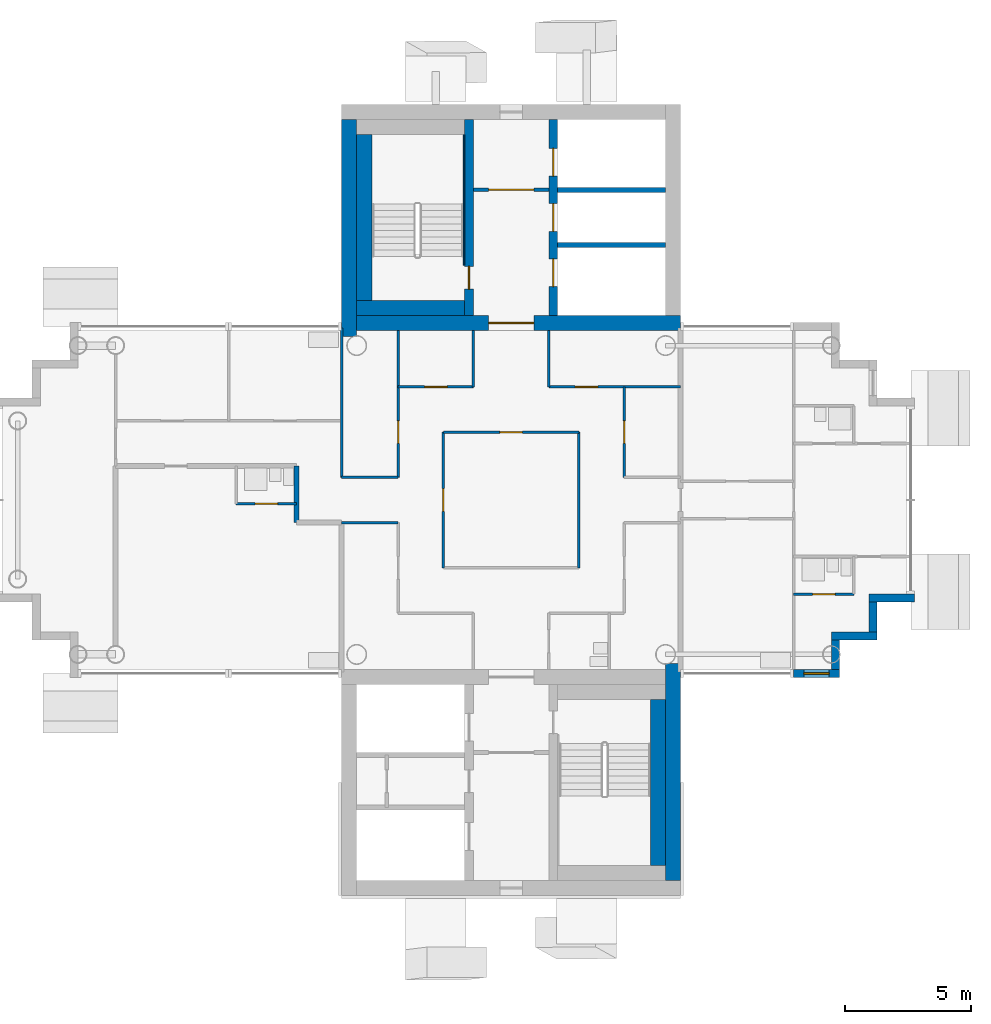
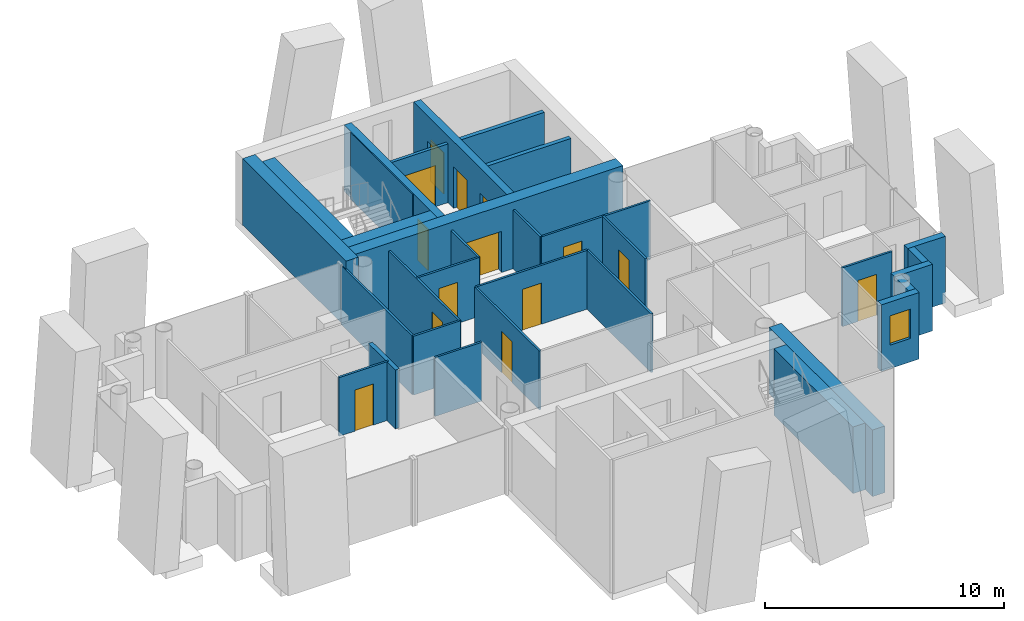
# One storey, part 10 of 19: 32 walls, 14 doors, 1 window, 15 openings.
"""IFC4 building model written with IfcOpenShell, lengths in metres."""

import ifcopenshell
import ifcopenshell.guid

model = None  # the IFC model being written
_history = None  # IfcOwnerHistory: only IFC2X3 demands one
_inside = {}  # id of a spatial element -> (the spatial element, [elements in it])
_under = {}  # id of a project, library or spatial element -> (it, [spatial elements below it])
_declared = {}  # id of a project -> (the project, [libraries it declares])
_typed = {}  # id of a type object -> (the type object, [elements of that type])
_made_of = {}  # id of a material, layer set ... -> (it, [elements and type objects made of it])


def new_model(schema):
    """Start an empty IFC model of exactly this schema.

    Asked for "IFC4X3", IfcOpenShell would pick the latest addendum, in which some entities
    have other attributes; the version numbers below select the first issue.
    IFC2X3 requires an IfcOwnerHistory on every rooted entity: one is made here for all.
    """
    global model, _history
    if schema == "IFC4X3":
        model = ifcopenshell.file(schema_version=(4, 3, 0, 0))
    else:
        model = ifcopenshell.file(schema=schema)
    _inside.clear()
    _under.clear()
    _declared.clear()
    _typed.clear()
    _made_of.clear()
    _history = None
    if model.schema == "IFC2X3":
        org = make("IfcOrganization", Name="unknown")
        user = make(
            "IfcPersonAndOrganization",
            ThePerson=make("IfcPerson", FamilyName="unknown"),
            TheOrganization=org,
        )
        app = make(
            "IfcApplication",
            ApplicationDeveloper=org,
            Version="unknown",
            ApplicationFullName="unknown",
            ApplicationIdentifier="unknown",
        )
        _history = make(
            "IfcOwnerHistory",
            OwningUser=user,
            OwningApplication=app,
            ChangeAction="ADDED",
            CreationDate=0,
        )
    return model


def make(cls, **values):
    """One entity of the class cls with the attributes given. An attribute that is None is left unset."""
    return model.create_entity(
        cls, **{name: value for name, value in values.items() if value is not None}
    )


def rooted(cls, **values):
    """An entity with a GlobalId (a new one), such as an element, a storey or a relation."""
    return make(cls, GlobalId=ifcopenshell.guid.new(), OwnerHistory=_history, **values)


def si_unit(unit_type, name, prefix=None):
    """IfcSIUnit, for example si_unit("LENGTHUNIT", "METRE", prefix="MILLI")."""
    return make("IfcSIUnit", UnitType=unit_type, Prefix=prefix, Name=name)


def assignment(units):
    """IfcUnitAssignment: the units of a project."""
    return None if units is None else make("IfcUnitAssignment", Units=units)


def point(xyz):
    """IfcCartesianPoint."""
    return None if xyz is None else make("IfcCartesianPoint", Coordinates=xyz)


def direction(xyz):
    """IfcDirection."""
    return None if xyz is None else make("IfcDirection", DirectionRatios=xyz)


def frame(location, z_axis=None, x_axis=None):
    """IfcAxis2Placement3D, a coordinate frame: its origin and axes. An axis left out is left unset."""
    return make(
        "IfcAxis2Placement3D",
        Location=point(location),
        Axis=direction(z_axis),
        RefDirection=direction(x_axis),
    )


def frame_2d(location, x_axis=None):
    """IfcAxis2Placement2D, a coordinate frame in the plane: its origin and x axis."""
    return make(
        "IfcAxis2Placement2D", Location=point(location), RefDirection=direction(x_axis)
    )


def origin():
    """The frame at (0, 0, 0) with its axes left unset."""
    return frame((0.0, 0.0, 0.0))


def place(relative_to, where):
    """IfcLocalPlacement: puts the frame where relative to a parent placement (None: the world)."""
    return make(
        "IfcLocalPlacement", PlacementRelTo=relative_to, RelativePlacement=where
    )


def context(
    kind, dimensions, precision=None, world=None, true_north=None, identifier=None
):
    """IfcGeometricRepresentationContext, for example the 3D "Model" context."""
    return make(
        "IfcGeometricRepresentationContext",
        ContextIdentifier=identifier,
        ContextType=kind,
        CoordinateSpaceDimension=dimensions,
        Precision=precision,
        WorldCoordinateSystem=world,
        TrueNorth=true_north,
    )


def subcontext(parent, identifier, kind, view, scale=None):
    """IfcGeometricRepresentationSubContext, for example "Body" below "Model"."""
    return make(
        "IfcGeometricRepresentationSubContext",
        ContextIdentifier=identifier,
        ContextType=kind,
        ParentContext=parent,
        TargetScale=scale,
        TargetView=view,
    )


def project(units=None, contexts=None):
    """IfcProject with its units and contexts."""
    return rooted(
        "IfcProject",
        Name="project",
        RepresentationContexts=contexts,
        UnitsInContext=assignment(units),
    )


def spatial(cls, under=None, at=None, **own):
    """A site, building, storey or space (cls), placed at a placement, below another one or the project."""
    s = rooted(cls, ObjectPlacement=at, **own)
    if under is not None:
        _under.setdefault(under.id(), (under, []))[1].append(s)
    return s


def profile(cls, at=None, kind="AREA", **sizes):
    """A parametric profile (cls). Its sizes go by their IFC names, for example OverallWidth=200.0."""
    return make(cls, ProfileType=kind, Position=at, **sizes)


def rectangle(**sizes):
    """IfcRectangleProfileDef."""
    return profile("IfcRectangleProfileDef", **sizes)


def extrude(swept, where, along, depth):
    """IfcExtrudedAreaSolid: the profile swept, set in the frame where, extruded along a direction by depth."""
    return make(
        "IfcExtrudedAreaSolid",
        SweptArea=swept,
        Position=where,
        ExtrudedDirection=direction(along),
        Depth=depth,
    )


def shape(context_of_items, identifier, shape_type, items):
    """IfcShapeRepresentation: the items that make up one representation, for example the "Body"."""
    return make(
        "IfcShapeRepresentation",
        ContextOfItems=context_of_items,
        RepresentationIdentifier=identifier,
        RepresentationType=shape_type,
        Items=items,
    )


def material(Name=None, Category=None):
    """IfcMaterial."""
    return make("IfcMaterial", Name=Name, Category=Category)


def layer(
    of_material, thickness, ventilated=None, Name=None, Category=None, Priority=None
):
    """IfcMaterialLayer: one layer of a wall or slab, of a material (None: an air gap)."""
    return make(
        "IfcMaterialLayer",
        Material=of_material,
        LayerThickness=thickness,
        IsVentilated=ventilated,
        Name=Name,
        Category=Category,
        Priority=Priority,
    )


def layer_set(layers, Name=None):
    """IfcMaterialLayerSet."""
    return make("IfcMaterialLayerSet", MaterialLayers=layers, LayerSetName=Name)


def made_of(thing, what):
    """Note that an element or type object is made of a material, layer set ...; save() writes the relation."""
    if what is not None:
        _made_of.setdefault(what.id(), (what, []))[1].append(thing)
    return thing


def type_object(cls, material=None, **own):
    """A type object (cls), such as IfcWallType, which elements share."""
    return made_of(rooted(cls, **own), material)


def element(
    cls,
    number,
    at=None,
    inside=None,
    cuts=None,
    type_object=None,
    material=None,
    context=None,
    identifier="Body",
    shape_type=None,
    held_by="IfcProductDefinitionShape",
    body=None,
    shapes=None,
    **own,
):
    """One element of the class cls, such as IfcWall. Its Tag is "e" and its number.

    at: its placement. inside: the storey or other place that contains it. cuts: it is an
    opening in that element (IfcRelVoidsElement). A single representation is given by context,
    identifier, shape_type and body (its items); several are given by shapes. held_by: the class
    of the entity that holds the representations. save() writes the other relations.
    """
    e = rooted(cls, Tag="e%d" % number, ObjectPlacement=at, **own)
    if body is not None:
        shapes = [shape(context, identifier, shape_type, body)]
    if shapes is not None:
        e.Representation = make(held_by, Representations=shapes)
    if inside is not None:
        _inside.setdefault(inside.id(), (inside, []))[1].append(e)
    if cuts is not None:
        rooted(
            "IfcRelVoidsElement", RelatingBuildingElement=cuts, RelatedOpeningElement=e
        )
    if type_object is not None:
        _typed.setdefault(type_object.id(), (type_object, []))[1].append(e)
    return made_of(e, material)


def fill(opening, filler):
    """IfcRelFillsElement: the door or window that sits in an opening."""
    return rooted(
        "IfcRelFillsElement",
        RelatingOpeningElement=opening,
        RelatedBuildingElement=filler,
    )


def aggregate(whole, parts):
    """IfcRelAggregates: a whole, such as a stair, and the parts it consists of."""
    return rooted("IfcRelAggregates", RelatingObject=whole, RelatedObjects=parts)


def save(model, path):
    """Write the relations noted so far, then the file.

    IfcRelAggregates (storeys below a building ...), IfcRelContainedInSpatialStructure (elements
    in a storey), IfcRelDefinesByType, IfcRelAssociatesMaterial and IfcRelDeclares: one each for
    every whole, place, type object, material and project.
    """
    for whole, parts in _under.values():
        aggregate(whole, parts)
    for where, things in _inside.values():
        rooted(
            "IfcRelContainedInSpatialStructure",
            RelatedElements=things,
            RelatingStructure=where,
        )
    for kind, things in _typed.values():
        rooted("IfcRelDefinesByType", RelatedObjects=things, RelatingType=kind)
    for what, things in _made_of.values():
        rooted("IfcRelAssociatesMaterial", RelatedObjects=things, RelatingMaterial=what)
    for by, libraries in _declared.values():
        rooted("IfcRelDeclares", RelatingContext=by, RelatedDefinitions=libraries)
    model.write(path)


model = new_model("IFC4")

# Units and contexts
model_context = context("Model", 3, precision=1e-05, world=origin(), true_north=direction((0.0, 1.0)))
body_context = subcontext(model_context, "Body", "Model", "MODEL_VIEW")
ifc_project = project(units=[si_unit("LENGTHUNIT", "METRE"), si_unit("AREAUNIT", "SQUARE_METRE"), si_unit("VOLUMEUNIT", "CUBIC_METRE"), si_unit("PLANEANGLEUNIT", "RADIAN"), si_unit("MASSUNIT", "GRAM", prefix="KILO")], contexts=[model_context])

# Site, building, storey
site_placement = place(None, origin())
site = spatial("IfcSite", under=ifc_project, at=site_placement, CompositionType="ELEMENT")
building_placement = place(site_placement, origin())
building = spatial("IfcBuilding", under=site, at=building_placement, Name="Ipe Terrace Towers", CompositionType="ELEMENT")
storey_placement = place(building_placement, frame((0.0, 0.0, 189.199951171875)))
storey = spatial("IfcBuildingStorey", under=building, at=storey_placement, Name="L52", CompositionType="ELEMENT", Elevation=189.199951171875)

# Wall, opening, window
ifc_material_1 = material(Name="Concrete C40/50 with buff precast cladding", Category="concrete")
ifc_layer_1 = layer(ifc_material_1, 0.320068359375)
ifc_layer_set_1 = layer_set([ifc_layer_1], Name="BUFF CLADDING WALL 320")
wall_type_1 = type_object("IfcWallType", Name="BUFF CLADDING WALL 320", PredefinedType="STANDARD", material=ifc_layer_set_1)
wall_1_placement = place(storey_placement, frame((47.25, -6.909912109375, -0.300048828125), z_axis=(0.0, 0.0, 1.0), x_axis=(1.0, 0.0, 0.0)))
wall_1 = element("IfcWall", 1, at=wall_1_placement, inside=storey, type_object=wall_type_1, Name="T2-W-L52-03a wall", PredefinedType="STANDARD", context=body_context, shape_type="SweptSolid", body=[
    extrude(rectangle(XDim=1.820068359375, YDim=0.320068359375, at=frame_2d((0.91015625, 0.0))), origin(), (0.0, 0.0, 1.0), 3.400146484375),
])
opening_1_placement = place(wall_1_placement, frame((0.409912109375, 0.0, 1.199951171875)))
opening_1 = element("IfcOpeningElement", 2, at=opening_1_placement, cuts=wall_1, Name="Opening T2-W-05-L52-02", PredefinedType="OPENING", context=body_context, shape_type="SweptSolid", body=[
    extrude(rectangle(XDim=1.0, YDim=1.5, at=frame_2d((0.5, 0.75))), frame((0.0, 0.169921875, 0.0), z_axis=(0.0, -1.0, 0.0), x_axis=(1.0, 0.0, 0.0)), (0.0, 0.0, 1.0), 0.340087890625),
])
ifc_material_2 = material(Name="Glass, clear laminated", Category="glass")
window_type = type_object("IfcWindowType", Name="DWELLING WINDOW 1000 x 1500", PartitioningType="SINGLE_PANEL", PredefinedType="WINDOW", material=ifc_material_2)
window_placement = place(opening_1_placement, origin())
window = element("IfcWindow", 3, at=window_placement, inside=storey, type_object=window_type, Name="W-05 window", OverallHeight=1.5, OverallWidth=1.0, PartitioningType="SINGLE_PANEL", PredefinedType="WINDOW", context=body_context, shape_type="SweptSolid", body=[
    extrude(rectangle(XDim=1.0, YDim=1.5, at=frame_2d((0.5, 0.75))), frame((0.0, 0.030029296875, 0.0), z_axis=(0.0, -1.0, 0.0), x_axis=(1.0, 0.0, 0.0)), (0.0, 0.0, 1.0), 0.06005859375),
])
fill(opening_1, window)

# Walls
wall_2_placement = place(storey_placement, frame((48.909912109375, -6.75, -0.300048828125), z_axis=(0.0, 0.0, 1.0), x_axis=(0.0, 1.0, 0.0)))
element("IfcWall", 4, at=wall_2_placement, inside=storey, type_object=wall_type_1, Name="T2-W-L52-04a wall", PredefinedType="STANDARD", context=body_context, shape_type="SweptSolid", body=[
    extrude(rectangle(XDim=1.179931640625, YDim=0.320068359375, at=frame_2d((0.58984375, 0.0))), origin(), (0.0, 0.0, 1.0), 3.400146484375),
])
wall_3_placement = place(storey_placement, frame((48.75, -5.409912109375, -0.300048828125), z_axis=(0.0, 0.0, 1.0), x_axis=(1.0, 0.0, 0.0)))
element("IfcWall", 5, at=wall_3_placement, inside=storey, type_object=wall_type_1, Name="T2-W-L52-05a wall", PredefinedType="STANDARD", context=body_context, shape_type="SweptSolid", body=[
    extrude(rectangle(XDim=1.820068359375, YDim=0.320068359375, at=frame_2d((0.91015625, 0.0))), origin(), (0.0, 0.0, 1.0), 3.400146484375),
])
wall_4_placement = place(storey_placement, frame((50.409912109375, -5.25, -0.300048828125), z_axis=(0.0, 0.0, 1.0), x_axis=(0.0, 1.0, 0.0)))
element("IfcWall", 6, at=wall_4_placement, inside=storey, type_object=wall_type_1, Name="T2-W-L52-06a wall", PredefinedType="STANDARD", context=body_context, shape_type="SweptSolid", body=[
    extrude(rectangle(XDim=1.179931640625, YDim=0.320068359375, at=frame_2d((0.58984375, 0.0))), origin(), (0.0, 0.0, 1.0), 3.400146484375),
])
wall_5_placement = place(storey_placement, frame((50.25, -3.909912109375, -0.300048828125), z_axis=(0.0, 0.0, 1.0), x_axis=(1.0, 0.0, 0.0)))
element("IfcWall", 7, at=wall_5_placement, inside=storey, type_object=wall_type_1, Name="T2-W-L52-07a wall", PredefinedType="STANDARD", context=body_context, shape_type="SweptSolid", body=[
    extrude(rectangle(XDim=1.820068359375, YDim=0.320068359375, at=frame_2d((0.91015625, 0.0))), origin(), (0.0, 0.0, 1.0), 3.400146484375),
])

# Wall, opening, door
ifc_material_3 = material(Name="Gypsum board partition", Category="plasterboard")
ifc_layer_2 = layer(ifc_material_3, 0.10009765625)
ifc_layer_set_2 = layer_set([ifc_layer_2], Name="Gypsum board partition 100 mm")
wall_type_2 = type_object("IfcWallType", Name="Gypsum board partition 100 mm", PredefinedType="PARTITIONING", material=ifc_layer_set_2)
wall_6_placement = place(storey_placement, frame((49.64990234375, -3.75, 0.0), z_axis=(0.0, 0.0, 1.0), x_axis=(-1.0, 0.0, 0.0)))
wall_6 = element("IfcWall", 8, at=wall_6_placement, inside=storey, type_object=wall_type_2, Name="Gypsum board partition T2 L52 W03", PredefinedType="PARTITIONING", context=body_context, shape_type="SweptSolid", body=[
    extrude(rectangle(XDim=2.39990234375, YDim=0.10009765625, at=frame_2d((1.199951171875, 0.0))), origin(), (0.0, 0.0, 1.0), 3.0),
])
opening_2_placement = place(wall_6_placement, frame((0.75, 0.0, 0.0)))
opening_2 = element("IfcOpeningElement", 9, at=opening_2_placement, cuts=wall_6, Name="Opening T2-Z4C-21", PredefinedType="OPENING", context=body_context, shape_type="SweptSolid", body=[
    extrude(rectangle(XDim=0.89990234375, YDim=2.10009765625, at=frame_2d((0.449951171875, 1.050048828125))), frame((0.0, 0.06005859375, 0.0), z_axis=(0.0, -1.0, 0.0), x_axis=(1.0, 0.0, 0.0)), (0.0, 0.0, 1.0), 0.1201171875),
])
ifc_material_4 = material(Name="Timber door leaf", Category="wood")
door_type_1 = type_object("IfcDoorType", Name="Bathroom door 900 x 2100", OperationType="NOTDEFINED", PredefinedType="DOOR", material=ifc_material_4)
door_1_placement = place(opening_2_placement, origin())
door_1 = element("IfcDoor", 10, at=door_1_placement, inside=storey, type_object=door_type_1, Name="Bathroom door T2-Z4C-21", OperationType="SINGLE_SWING_RIGHT", OverallHeight=2.10009765625, OverallWidth=0.89990234375, PredefinedType="DOOR", context=body_context, shape_type="SweptSolid", body=[
    extrude(rectangle(XDim=0.89990234375, YDim=2.10009765625, at=frame_2d((0.449951171875, 1.050048828125))), frame((0.0, 0.02490234375, 0.0), z_axis=(0.0, -1.0, 0.0), x_axis=(1.0, 0.0, 0.0)), (0.0, 0.0, 1.0), 0.050048828125),
])
fill(opening_2, door_1)

# Wall
wall_7_placement = place(storey_placement, frame((31.5, -0.89990234375, 0.0), z_axis=(0.0, 0.0, 1.0), x_axis=(-1.0, 0.0, 0.0)))
element("IfcWall", 11, at=wall_7_placement, inside=storey, type_object=wall_type_2, Name="Gypsum board partition T2 L52 W07", PredefinedType="PARTITIONING", context=body_context, shape_type="SweptSolid", body=[
    extrude(rectangle(XDim=2.25, YDim=0.10009765625, at=frame_2d((1.125, 0.0))), origin(), (0.0, 0.0, 1.0), 3.0),
])

# Wall, opening, door
wall_8_placement = place(storey_placement, frame((27.449951171875, -0.14990234375, 0.0), z_axis=(0.0, 0.0, 1.0), x_axis=(-1.0, 0.0, 0.0)))
wall_8 = element("IfcWall", 12, at=wall_8_placement, inside=storey, type_object=wall_type_2, Name="Gypsum board partition T2 L52 W10", PredefinedType="PARTITIONING", context=body_context, shape_type="SweptSolid", body=[
    extrude(rectangle(XDim=2.39990234375, YDim=0.10009765625, at=frame_2d((1.199951171875, 0.0))), origin(), (0.0, 0.0, 1.0), 3.0),
])
opening_3_placement = place(wall_8_placement, frame((0.75, 0.0, 0.0)))
opening_3 = element("IfcOpeningElement", 13, at=opening_3_placement, cuts=wall_8, Name="Opening T2-Z4C-11", PredefinedType="OPENING", context=body_context, shape_type="SweptSolid", body=[
    extrude(rectangle(XDim=0.89990234375, YDim=2.10009765625, at=frame_2d((0.449951171875, 1.050048828125))), frame((0.0, 0.06005859375, 0.0), z_axis=(0.0, -1.0, 0.0), x_axis=(1.0, 0.0, 0.0)), (0.0, 0.0, 1.0), 0.1201171875),
])
door_2_placement = place(opening_3_placement, origin())
door_2 = element("IfcDoor", 14, at=door_2_placement, inside=storey, type_object=door_type_1, Name="Bathroom door T2-Z4C-11", OperationType="SINGLE_SWING_RIGHT", OverallHeight=2.10009765625, OverallWidth=0.89990234375, PredefinedType="DOOR", context=body_context, shape_type="SweptSolid", body=[
    extrude(rectangle(XDim=0.89990234375, YDim=2.10009765625, at=frame_2d((0.449951171875, 1.050048828125))), frame((0.0, 0.02490234375, 0.0), z_axis=(0.0, -1.0, 0.0), x_axis=(1.0, 0.0, 0.0)), (0.0, 0.0, 1.0), 0.050048828125),
])
fill(opening_3, door_2)

# Wall
wall_9_placement = place(storey_placement, frame((31.5, 0.89990234375, 0.0), z_axis=(0.0, 0.0, 1.0), x_axis=(-1.0, 0.0, 0.0)))
element("IfcWall", 15, at=wall_9_placement, inside=storey, type_object=wall_type_2, Name="Gypsum board partition T2 L52 W13", PredefinedType="PARTITIONING", context=body_context, shape_type="SweptSolid", body=[
    extrude(rectangle(XDim=2.25, YDim=0.10009765625, at=frame_2d((1.125, 0.0))), origin(), (0.0, 0.0, 1.0), 3.0),
])

# Wall, opening, door
wall_10_placement = place(storey_placement, frame((38.699951171875, 2.699951171875, 0.0), z_axis=(0.0, 0.0, 1.0), x_axis=(-1.0, 0.0, 0.0)))
wall_10 = element("IfcWall", 16, at=wall_10_placement, inside=storey, type_object=wall_type_2, Name="Gypsum board partition T2 L52 W16", PredefinedType="PARTITIONING", context=body_context, shape_type="SweptSolid", body=[
    extrude(rectangle(XDim=5.39990234375, YDim=0.10009765625, at=frame_2d((2.699951171875, 0.0))), origin(), (0.0, 0.0, 1.0), 3.0),
])
opening_4_placement = place(wall_10_placement, frame((2.25, 0.0, 0.0)))
opening_4 = element("IfcOpeningElement", 17, at=opening_4_placement, cuts=wall_10, Name="Opening T2-Z4C-02", PredefinedType="OPENING", context=body_context, shape_type="SweptSolid", body=[
    extrude(rectangle(XDim=0.89990234375, YDim=2.10009765625, at=frame_2d((0.449951171875, 1.050048828125))), frame((0.0, 0.06005859375, 0.0), z_axis=(0.0, -1.0, 0.0), x_axis=(1.0, 0.0, 0.0)), (0.0, 0.0, 1.0), 0.1201171875),
])
ifc_material_5 = material(Name="Timber door leaf", Category="wood")
door_type_2 = type_object("IfcDoorType", Name="Lounge door 900 x 2100", OperationType="NOTDEFINED", PredefinedType="DOOR", material=ifc_material_5)
door_3_placement = place(opening_4_placement, origin())
door_3 = element("IfcDoor", 18, at=door_3_placement, inside=storey, type_object=door_type_2, Name="Lounge door T2-Z4C-02", OperationType="SINGLE_SWING_LEFT", OverallHeight=2.10009765625, OverallWidth=0.89990234375, PredefinedType="DOOR", context=body_context, shape_type="SweptSolid", body=[
    extrude(rectangle(XDim=0.89990234375, YDim=2.10009765625, at=frame_2d((0.449951171875, 1.050048828125))), frame((0.0, 0.02490234375, 0.0), z_axis=(0.0, -1.0, 0.0), x_axis=(1.0, 0.0, 0.0)), (0.0, 0.0, 1.0), 0.050048828125),
])
fill(opening_4, door_3)

wall_11_placement = place(storey_placement, frame((42.75, 4.5, 0.0), z_axis=(0.0, 0.0, 1.0), x_axis=(-1.0, 0.0, 0.0)))
wall_11 = element("IfcWall", 19, at=wall_11_placement, inside=storey, type_object=wall_type_2, Name="Gypsum board partition T2 L52 W19", PredefinedType="PARTITIONING", context=body_context, shape_type="SweptSolid", body=[
    extrude(rectangle(XDim=5.25, YDim=0.10009765625, at=frame_2d((2.625, 0.0))), origin(), (0.0, 0.0, 1.0), 3.0),
])
opening_5_placement = place(wall_11_placement, frame((3.300048828125, 0.0, 0.0)))
opening_5 = element("IfcOpeningElement", 20, at=opening_5_placement, cuts=wall_11, Name="Opening T2-Z4C-09", PredefinedType="OPENING", context=body_context, shape_type="SweptSolid", body=[
    extrude(rectangle(XDim=0.89990234375, YDim=2.10009765625, at=frame_2d((0.449951171875, 1.050048828125))), frame((0.0, 0.06005859375, 0.0), z_axis=(0.0, -1.0, 0.0), x_axis=(1.0, 0.0, 0.0)), (0.0, 0.0, 1.0), 0.1201171875),
])
door_4_placement = place(opening_5_placement, origin())
door_4 = element("IfcDoor", 21, at=door_4_placement, inside=storey, type_object=door_type_2, Name="Lounge door T2-Z4C-09", OperationType="SINGLE_SWING_RIGHT", OverallHeight=2.10009765625, OverallWidth=0.89990234375, PredefinedType="DOOR", context=body_context, shape_type="SweptSolid", body=[
    extrude(rectangle(XDim=0.89990234375, YDim=2.10009765625, at=frame_2d((0.449951171875, 1.050048828125))), frame((0.0, 0.02490234375, 0.0), z_axis=(0.0, -1.0, 0.0), x_axis=(1.0, 0.0, 0.0)), (0.0, 0.0, 1.0), 0.050048828125),
])
fill(opening_5, door_4)

wall_12_placement = place(storey_placement, frame((34.5, 4.5, 0.0), z_axis=(0.0, 0.0, 1.0), x_axis=(-1.0, 0.0, 0.0)))
wall_12 = element("IfcWall", 22, at=wall_12_placement, inside=storey, type_object=wall_type_2, Name="Gypsum board partition T2 L52 W20", PredefinedType="PARTITIONING", context=body_context, shape_type="SweptSolid", body=[
    extrude(rectangle(XDim=3.0, YDim=0.10009765625, at=frame_2d((1.5, 0.0))), origin(), (0.0, 0.0, 1.0), 3.0),
])
opening_6_placement = place(wall_12_placement, frame((1.050048828125, 0.0, 0.0)))
opening_6 = element("IfcOpeningElement", 23, at=opening_6_placement, cuts=wall_12, Name="Opening T2-Z4C-05", PredefinedType="OPENING", context=body_context, shape_type="SweptSolid", body=[
    extrude(rectangle(XDim=0.89990234375, YDim=2.10009765625, at=frame_2d((0.449951171875, 1.050048828125))), frame((0.0, 0.06005859375, 0.0), z_axis=(0.0, -1.0, 0.0), x_axis=(1.0, 0.0, 0.0)), (0.0, 0.0, 1.0), 0.1201171875),
])
door_5_placement = place(opening_6_placement, origin())
door_5 = element("IfcDoor", 24, at=door_5_placement, inside=storey, type_object=door_type_2, Name="Lounge door T2-Z4C-05", OperationType="SINGLE_SWING_RIGHT", OverallHeight=2.10009765625, OverallWidth=0.89990234375, PredefinedType="DOOR", context=body_context, shape_type="SweptSolid", body=[
    extrude(rectangle(XDim=0.89990234375, YDim=2.10009765625, at=frame_2d((0.449951171875, 1.050048828125))), frame((0.0, 0.02490234375, 0.0), z_axis=(0.0, -1.0, 0.0), x_axis=(1.0, 0.0, 0.0)), (0.0, 0.0, 1.0), 0.050048828125),
])
fill(opening_6, door_5)

wall_13_placement = place(storey_placement, frame((40.5, 0.89990234375, 0.0), z_axis=(0.0, 0.0, 1.0), x_axis=(0.0, 1.0, 0.0)))
wall_13 = element("IfcWall", 25, at=wall_13_placement, inside=storey, type_object=wall_type_2, Name="Gypsum board partition T2 L52 W26", PredefinedType="PARTITIONING", context=body_context, shape_type="SweptSolid", body=[
    extrude(rectangle(XDim=3.60009765625, YDim=0.10009765625, at=frame_2d((1.800048828125, 0.0))), origin(), (0.0, 0.0, 1.0), 3.0),
])
opening_7_placement = place(wall_13_placement, frame((1.35009765625, 0.0, 0.0)))
opening_7 = element("IfcOpeningElement", 26, at=opening_7_placement, cuts=wall_13, Name="Opening T2-Z4C-08", PredefinedType="OPENING", context=body_context, shape_type="SweptSolid", body=[
    extrude(rectangle(XDim=0.89990234375, YDim=2.10009765625, at=frame_2d((0.449951171875, 1.050048828125))), frame((0.0, 0.06005859375, 0.0), z_axis=(0.0, -1.0, 0.0), x_axis=(1.0, 0.0, 0.0)), (0.0, 0.0, 1.0), 0.1201171875),
])
door_6_placement = place(opening_7_placement, origin())
door_6 = element("IfcDoor", 27, at=door_6_placement, inside=storey, type_object=door_type_2, Name="Lounge door T2-Z4C-08", OperationType="SINGLE_SWING_RIGHT", OverallHeight=2.10009765625, OverallWidth=0.89990234375, PredefinedType="DOOR", context=body_context, shape_type="SweptSolid", body=[
    extrude(rectangle(XDim=0.89990234375, YDim=2.10009765625, at=frame_2d((0.449951171875, 1.050048828125))), frame((0.0, 0.02490234375, 0.0), z_axis=(0.0, -1.0, 0.0), x_axis=(1.0, 0.0, 0.0)), (0.0, 0.0, 1.0), 0.050048828125),
])
fill(opening_7, door_6)

# Walls
wall_14_placement = place(storey_placement, frame((38.699951171875, -2.699951171875, 0.0), z_axis=(0.0, 0.0, 1.0), x_axis=(0.0, 1.0, 0.0)))
element("IfcWall", 28, at=wall_14_placement, inside=storey, type_object=wall_type_2, Name="Gypsum board partition T2 L52 W28", PredefinedType="PARTITIONING", context=body_context, shape_type="SweptSolid", body=[
    extrude(rectangle(XDim=5.39990234375, YDim=0.10009765625, at=frame_2d((2.699951171875, 0.0))), origin(), (0.0, 0.0, 1.0), 3.0),
])
for number, where, z_axis, x_axis, name in (
    (29, (37.5, 4.5, 0.0), (0.0, 0.0, 1.0), (0.0, 1.0, 0.0), "Gypsum board partition T2 L52 W30"),
    (30, (34.5, 4.5, 0.0), (0.0, 0.0, 1.0), (0.0, 1.0, 0.0), "Gypsum board partition T2 L52 W32"),
):
    element("IfcWall", number, at=place(storey_placement, frame(where, z_axis=z_axis, x_axis=x_axis)), inside=storey, type_object=wall_type_2, Name=name, PredefinedType="PARTITIONING", context=body_context, shape_type="SweptSolid", body=[
        extrude(rectangle(XDim=2.25, YDim=0.10009765625, at=frame_2d((1.125, 0.0))), origin(), (0.0, 0.0, 1.0), 3.0),
    ])

# Wall, opening, door
wall_15_placement = place(storey_placement, frame((33.300048828125, -2.699951171875, 0.0), z_axis=(0.0, 0.0, 1.0), x_axis=(0.0, 1.0, 0.0)))
wall_15 = element("IfcWall", 31, at=wall_15_placement, inside=storey, type_object=wall_type_2, Name="Gypsum board partition T2 L52 W33", PredefinedType="PARTITIONING", context=body_context, shape_type="SweptSolid", body=[
    extrude(rectangle(XDim=5.39990234375, YDim=0.10009765625, at=frame_2d((2.699951171875, 0.0))), origin(), (0.0, 0.0, 1.0), 3.0),
])
opening_8_placement = place(wall_15_placement, frame((2.25, 0.0, 0.0)))
opening_8 = element("IfcOpeningElement", 32, at=opening_8_placement, cuts=wall_15, Name="Opening T2-Z4C-01", PredefinedType="OPENING", context=body_context, shape_type="SweptSolid", body=[
    extrude(rectangle(XDim=0.89990234375, YDim=2.10009765625, at=frame_2d((0.449951171875, 1.050048828125))), frame((0.0, 0.06005859375, 0.0), z_axis=(0.0, -1.0, 0.0), x_axis=(1.0, 0.0, 0.0)), (0.0, 0.0, 1.0), 0.1201171875),
])
door_7_placement = place(opening_8_placement, origin())
door_7 = element("IfcDoor", 33, at=door_7_placement, inside=storey, type_object=door_type_2, Name="Lounge door T2-Z4C-01", OperationType="SINGLE_SWING_RIGHT", OverallHeight=2.10009765625, OverallWidth=0.89990234375, PredefinedType="DOOR", context=body_context, shape_type="SweptSolid", body=[
    extrude(rectangle(XDim=0.89990234375, YDim=2.10009765625, at=frame_2d((0.449951171875, 1.050048828125))), frame((0.0, 0.02490234375, 0.0), z_axis=(0.0, -1.0, 0.0), x_axis=(1.0, 0.0, 0.0)), (0.0, 0.0, 1.0), 0.050048828125),
])
fill(opening_8, door_7)

wall_16_placement = place(storey_placement, frame((31.5, 0.89990234375, 0.0), z_axis=(0.0, 0.0, 1.0), x_axis=(0.0, 1.0, 0.0)))
wall_16 = element("IfcWall", 34, at=wall_16_placement, inside=storey, type_object=wall_type_2, Name="Gypsum board partition T2 L52 W35", PredefinedType="PARTITIONING", context=body_context, shape_type="SweptSolid", body=[
    extrude(rectangle(XDim=5.85009765625, YDim=0.10009765625, at=frame_2d((2.925048828125, 0.0))), origin(), (0.0, 0.0, 1.0), 3.0),
])
opening_9_placement = place(wall_16_placement, frame((1.35009765625, 0.0, 0.0)))
opening_9 = element("IfcOpeningElement", 35, at=opening_9_placement, cuts=wall_16, Name="Opening T2-Z4C-04", PredefinedType="OPENING", context=body_context, shape_type="SweptSolid", body=[
    extrude(rectangle(XDim=0.89990234375, YDim=2.10009765625, at=frame_2d((0.449951171875, 1.050048828125))), frame((0.0, 0.06005859375, 0.0), z_axis=(0.0, -1.0, 0.0), x_axis=(1.0, 0.0, 0.0)), (0.0, 0.0, 1.0), 0.1201171875),
])
door_8_placement = place(opening_9_placement, origin())
door_8 = element("IfcDoor", 36, at=door_8_placement, inside=storey, type_object=door_type_2, Name="Lounge door T2-Z4C-04", OperationType="SINGLE_SWING_RIGHT", OverallHeight=2.10009765625, OverallWidth=0.89990234375, PredefinedType="DOOR", context=body_context, shape_type="SweptSolid", body=[
    extrude(rectangle(XDim=0.89990234375, YDim=2.10009765625, at=frame_2d((0.449951171875, 1.050048828125))), frame((0.0, 0.02490234375, 0.0), z_axis=(0.0, -1.0, 0.0), x_axis=(1.0, 0.0, 0.0)), (0.0, 0.0, 1.0), 0.050048828125),
])
fill(opening_9, door_8)

# Wall
wall_17_placement = place(storey_placement, frame((29.25, 0.89990234375, 0.0), z_axis=(0.0, 0.0, 1.0), x_axis=(0.0, 1.0, 0.0)))
element("IfcWall", 37, at=wall_17_placement, inside=storey, type_object=wall_type_2, Name="Gypsum board partition T2 L52 W36", PredefinedType="PARTITIONING", context=body_context, shape_type="SweptSolid", body=[
    extrude(rectangle(XDim=5.9501953125, YDim=0.10009765625, at=frame_2d((2.97509765625, 0.0))), origin(), (0.0, 0.0, 1.0), 3.0),
])

# Wall, opening, door
ifc_material_6 = material(Name="Gypsum board partition", Category="plasterboard")
ifc_layer_3 = layer(ifc_material_6, 0.14990234375)
ifc_layer_set_3 = layer_set([ifc_layer_3], Name="Gypsum board partition 150 mm")
wall_type_3 = type_object("IfcWallType", Name="Gypsum board partition 150 mm", PredefinedType="PARTITIONING", material=ifc_layer_set_3)
wall_18_placement = place(storey_placement, frame((37.5, 12.35009765625, 0.0), z_axis=(0.0, 0.0, 1.0), x_axis=(-1.0, 0.0, 0.0)))
wall_18 = element("IfcWall", 38, at=wall_18_placement, inside=storey, type_object=wall_type_3, Name="Gypsum board partition T2 L52 t2c1-lobby-wall", PredefinedType="PARTITIONING", context=body_context, shape_type="SweptSolid", body=[
    extrude(rectangle(XDim=3.0, YDim=0.14990234375, at=frame_2d((1.5, 0.0))), origin(), (0.0, 0.0, 1.0), 3.0),
])
opening_10_placement = place(wall_18_placement, frame((0.60009765625, 0.0, 0.0)))
opening_10 = element("IfcOpeningElement", 39, at=opening_10_placement, cuts=wall_18, Name="Opening T2C1-VD", PredefinedType="OPENING", context=body_context, shape_type="SweptSolid", body=[
    extrude(rectangle(XDim=1.800048828125, YDim=2.10009765625, at=frame_2d((0.89990234375, 1.050048828125))), frame((0.0, 0.0849609375, 0.0), z_axis=(0.0, -1.0, 0.0), x_axis=(1.0, 0.0, 0.0)), (0.0, 0.0, 1.0), 0.169921875),
])
ifc_material_7 = material(Name="Fire-rated timber door leaf", Category="wood")
door_type_3 = type_object("IfcDoorType", Name="Lobby door 1800 x 2100 FD60", OperationType="NOTDEFINED", PredefinedType="DOOR", material=ifc_material_7)
door_9_placement = place(opening_10_placement, origin())
door_9 = element("IfcDoor", 40, at=door_9_placement, inside=storey, type_object=door_type_3, Name="Lobby door T2C1-VD", OperationType="SINGLE_SWING_LEFT", OverallHeight=2.10009765625, OverallWidth=1.800048828125, PredefinedType="DOOR", context=body_context, shape_type="SweptSolid", body=[
    extrude(rectangle(XDim=1.800048828125, YDim=2.10009765625, at=frame_2d((0.89990234375, 1.050048828125))), frame((0.0, 0.02490234375, 0.0), z_axis=(0.0, -1.0, 0.0), x_axis=(1.0, 0.0, 0.0)), (0.0, 0.0, 1.0), 0.050048828125),
])
fill(opening_10, door_9)

# Walls
ifc_material_8 = material(Name="Gypsum board party wall", Category="plasterboard")
ifc_layer_4 = layer(ifc_material_8, 0.199951171875)
ifc_layer_set_4 = layer_set([ifc_layer_4], Name="Gypsum board party wall 200 mm")
wall_type_4 = type_object("IfcWallType", Name="Gypsum board party wall 200 mm", PredefinedType="SOLIDWALL", material=ifc_layer_set_4)
for number, where, z_axis, x_axis, name in (
    (41, (42.14990234375, 10.14990234375, 0.0), (0.0, 0.0, 1.0), (-1.0, 0.0, 0.0), "Gypsum board party wall T2 L52 t2c1-shaft-div1"),
    (42, (42.14990234375, 12.35009765625, 0.0), (0.0, 0.0, 1.0), (-1.0, 0.0, 0.0), "Gypsum board party wall T2 L52 t2c1-shaft-div2"),
):
    element("IfcWall", number, at=place(storey_placement, frame(where, z_axis=z_axis, x_axis=x_axis)), inside=storey, type_object=wall_type_4, Name=name, PredefinedType="SOLIDWALL", context=body_context, shape_type="SweptSolid", body=[
        extrude(rectangle(XDim=4.2998046875, YDim=0.199951171875, at=frame_2d((2.14990234375, 0.0))), origin(), (0.0, 0.0, 1.0), 3.0),
    ])
wall_19_placement = place(storey_placement, frame((27.449951171875, -0.89990234375, 0.0), z_axis=(0.0, 0.0, 1.0), x_axis=(0.0, 1.0, 0.0)))
element("IfcWall", 43, at=wall_19_placement, inside=storey, type_object=wall_type_4, Name="Gypsum board party wall T2 L52 W38", PredefinedType="SOLIDWALL", context=body_context, shape_type="SweptSolid", body=[
    extrude(rectangle(XDim=2.25, YDim=0.199951171875, at=frame_2d((1.125, 0.0))), origin(), (0.0, 0.0, 1.0), 3.0),
])

# Wall, opening, door
ifc_material_9 = material(Name="Concrete C40/50", Category="concrete")
ifc_layer_5 = layer(ifc_material_9, 0.35009765625)
ifc_layer_set_5 = layer_set([ifc_layer_5], Name="RW350 CORE SPINE WALL 350 C40-50")
wall_type_5 = type_object("IfcWallType", Name="RW350 CORE SPINE WALL 350 C40-50", PredefinedType="SHEAR", material=ifc_layer_set_5)
wall_20_placement = place(storey_placement, frame((34.324951171875, 7.35009765625, 0.0), z_axis=(0.0, 0.0, 1.0), x_axis=(0.0, 1.0, 0.0)))
wall_20 = element("IfcWall", 44, at=wall_20_placement, inside=storey, type_object=wall_type_5, Name="Core spine wall T2-C1-Z4-SW1", PredefinedType="SHEAR", context=body_context, shape_type="SweptSolid", body=[
    extrude(rectangle(XDim=7.7998046875, YDim=0.35009765625, at=frame_2d((3.89990234375, 0.0))), origin(), (0.0, 0.0, 1.0), 3.400146484375),
])
opening_11_placement = place(wall_20_placement, frame((1.050048828125, 0.0, 0.0)))
opening_11 = element("IfcOpeningElement", 45, at=opening_11_placement, cuts=wall_20, Name="Opening T2C1-SD", PredefinedType="OPENING", context=body_context, shape_type="SweptSolid", body=[
    extrude(rectangle(XDim=0.89990234375, YDim=2.10009765625, at=frame_2d((0.449951171875, 1.050048828125))), frame((0.0, 0.18505859375, 0.0), z_axis=(0.0, -1.0, 0.0), x_axis=(1.0, 0.0, 0.0)), (0.0, 0.0, 1.0), 0.3701171875),
])
ifc_material_10 = material(Name="Fire-rated timber door leaf", Category="wood")
door_type_4 = type_object("IfcDoorType", Name="Stair door 900 x 2100 FD60", OperationType="NOTDEFINED", PredefinedType="DOOR", material=ifc_material_10)
door_10_placement = place(opening_11_placement, origin())
door_10 = element("IfcDoor", 46, at=door_10_placement, inside=storey, type_object=door_type_4, Name="Stair door T2C1-SD", OperationType="SINGLE_SWING_LEFT", OverallHeight=2.10009765625, OverallWidth=0.89990234375, PredefinedType="DOOR", context=body_context, shape_type="SweptSolid", body=[
    extrude(rectangle(XDim=0.89990234375, YDim=2.10009765625, at=frame_2d((0.449951171875, 1.050048828125))), frame((0.0, 0.02490234375, 0.0), z_axis=(0.0, -1.0, 0.0), x_axis=(1.0, 0.0, 0.0)), (0.0, 0.0, 1.0), 0.050048828125),
])
fill(opening_11, door_10)

# Wall, openings, doors
wall_21_placement = place(storey_placement, frame((37.675048828125, 7.35009765625, 0.0), z_axis=(0.0, 0.0, 1.0), x_axis=(0.0, 1.0, 0.0)))
wall_21 = element("IfcWall", 47, at=wall_21_placement, inside=storey, type_object=wall_type_5, Name="Core spine wall T2-C1-Z4-SW2", PredefinedType="SHEAR", context=body_context, shape_type="SweptSolid", body=[
    extrude(rectangle(XDim=7.7998046875, YDim=0.35009765625, at=frame_2d((3.89990234375, 0.0))), origin(), (0.0, 0.0, 1.0), 3.400146484375),
])
opening_12_placement = place(wall_21_placement, frame((1.14990234375, 0.0, 0.0)))
opening_12 = element("IfcOpeningElement", 48, at=opening_12_placement, cuts=wall_21, Name="Opening T2C1-LD1", PredefinedType="OPENING", context=body_context, shape_type="SweptSolid", body=[
    extrude(rectangle(XDim=1.10009765625, YDim=2.10009765625, at=frame_2d((0.550048828125, 1.050048828125))), frame((0.0, 0.18505859375, 0.0), z_axis=(0.0, -1.0, 0.0), x_axis=(1.0, 0.0, 0.0)), (0.0, 0.0, 1.0), 0.3701171875),
])
opening_13_placement = place(wall_21_placement, frame((3.35009765625, 0.0, 0.0)))
opening_13 = element("IfcOpeningElement", 49, at=opening_13_placement, cuts=wall_21, Name="Opening T2C1-LD2", PredefinedType="OPENING", context=body_context, shape_type="SweptSolid", body=[
    extrude(rectangle(XDim=1.10009765625, YDim=2.10009765625, at=frame_2d((0.550048828125, 1.050048828125))), frame((0.0, 0.18505859375, 0.0), z_axis=(0.0, -1.0, 0.0), x_axis=(1.0, 0.0, 0.0)), (0.0, 0.0, 1.0), 0.3701171875),
])
opening_14_placement = place(wall_21_placement, frame((5.550048828125, 0.0, 0.0)))
opening_14 = element("IfcOpeningElement", 50, at=opening_14_placement, cuts=wall_21, Name="Opening T2C1-LD3", PredefinedType="OPENING", context=body_context, shape_type="SweptSolid", body=[
    extrude(rectangle(XDim=1.10009765625, YDim=2.10009765625, at=frame_2d((0.550048828125, 1.050048828125))), frame((0.0, 0.18505859375, 0.0), z_axis=(0.0, -1.0, 0.0), x_axis=(1.0, 0.0, 0.0)), (0.0, 0.0, 1.0), 0.3701171875),
])
ifc_material_11 = material(Name="Fire-rated timber door leaf", Category="wood")
door_type_5 = type_object("IfcDoorType", Name="Sliding door 1100 x 2100 FD60", OperationType="SLIDING_TO_LEFT", PredefinedType="DOOR", material=ifc_material_11)
door_11_placement = place(opening_12_placement, origin())
door_11 = element("IfcDoor", 51, at=door_11_placement, inside=storey, type_object=door_type_5, Name="Sliding door T2C1-LD1", OperationType="SLIDING_TO_LEFT", OverallHeight=2.10009765625, OverallWidth=1.10009765625, PredefinedType="DOOR", context=body_context, shape_type="SweptSolid", body=[
    extrude(rectangle(XDim=1.10009765625, YDim=2.10009765625, at=frame_2d((0.550048828125, 1.050048828125))), frame((0.0, 0.02490234375, 0.0), z_axis=(0.0, -1.0, 0.0), x_axis=(1.0, 0.0, 0.0)), (0.0, 0.0, 1.0), 0.050048828125),
])
fill(opening_12, door_11)
door_12_placement = place(opening_13_placement, origin())
door_12 = element("IfcDoor", 52, at=door_12_placement, inside=storey, type_object=door_type_5, Name="Sliding door T2C1-LD2", OperationType="SLIDING_TO_LEFT", OverallHeight=2.10009765625, OverallWidth=1.10009765625, PredefinedType="DOOR", context=body_context, shape_type="SweptSolid", body=[
    extrude(rectangle(XDim=1.10009765625, YDim=2.10009765625, at=frame_2d((0.550048828125, 1.050048828125))), frame((0.0, 0.02490234375, 0.0), z_axis=(0.0, -1.0, 0.0), x_axis=(1.0, 0.0, 0.0)), (0.0, 0.0, 1.0), 0.050048828125),
])
fill(opening_13, door_12)
door_13_placement = place(opening_14_placement, origin())
door_13 = element("IfcDoor", 53, at=door_13_placement, inside=storey, type_object=door_type_5, Name="Sliding door T2C1-LD3", OperationType="SLIDING_TO_LEFT", OverallHeight=2.10009765625, OverallWidth=1.10009765625, PredefinedType="DOOR", context=body_context, shape_type="SweptSolid", body=[
    extrude(rectangle(XDim=1.10009765625, YDim=2.10009765625, at=frame_2d((0.550048828125, 1.050048828125))), frame((0.0, 0.02490234375, 0.0), z_axis=(0.0, -1.0, 0.0), x_axis=(1.0, 0.0, 0.0)), (0.0, 0.0, 1.0), 0.050048828125),
])
fill(opening_14, door_13)

# Walls
ifc_material_12 = material(Name="Concrete C40/50", Category="concrete")
ifc_layer_6 = layer(ifc_material_12, 0.050048828125)
ifc_layer_set_6 = layer_set([ifc_layer_6], Name="RW50 CORE INFILL WALL 50 C40-50")
wall_type_6 = type_object("IfcWallType", Name="RW50 CORE INFILL WALL 50 C40-50", PredefinedType="SHEAR", material=ifc_layer_set_6)
wall_22_placement = place(storey_placement, frame((34.125, 9.35009765625, 0.0), z_axis=(0.0, 0.0, 1.0), x_axis=(0.0, 1.0, 0.0)))
element("IfcWall", 54, at=wall_22_placement, inside=storey, type_object=wall_type_6, Name="Core infill wall T2-C1-spine-b", PredefinedType="SHEAR", context=body_context, shape_type="SweptSolid", body=[
    extrude(rectangle(XDim=5.199951171875, YDim=0.050048828125, at=frame_2d((2.60009765625, 0.0))), origin(), (0.0, 0.0, 1.0), 3.400146484375),
])
ifc_material_13 = material(Name="Concrete C40/50", Category="concrete")
ifc_layer_7 = layer(ifc_material_13, 0.60009765625)
ifc_layer_set_7 = layer_set([ifc_layer_7], Name="RW600 CORE INFILL WALL 600 C40-50")
wall_type_7 = type_object("IfcWallType", Name="RW600 CORE INFILL WALL 600 C40-50", PredefinedType="SHEAR", material=ifc_layer_set_7)
wall_23_placement = place(storey_placement, frame((30.14990234375, 7.949951171875, 0.0), z_axis=(0.0, 0.0, 1.0), x_axis=(0.0, 1.0, 0.0)))
element("IfcWall", 55, at=wall_23_placement, inside=storey, type_object=wall_type_7, Name="Core infill wall T2-C1-back", PredefinedType="SHEAR", context=body_context, shape_type="SweptSolid", body=[
    extrude(rectangle(XDim=6.60009765625, YDim=0.60009765625, at=frame_2d((3.300048828125, 0.0))), origin(), (0.0, 0.0, 1.0), 3.400146484375),
])
wall_24_placement = place(storey_placement, frame((34.14990234375, 7.64990234375, 0.0), z_axis=(0.0, 0.0, 1.0), x_axis=(-1.0, 0.0, 0.0)))
element("IfcWall", 56, at=wall_24_placement, inside=storey, type_object=wall_type_7, Name="Core infill wall T2-C1-near", PredefinedType="SHEAR", context=body_context, shape_type="SweptSolid", body=[
    extrude(rectangle(XDim=4.2998046875, YDim=0.60009765625, at=frame_2d((2.14990234375, 0.0))), origin(), (0.0, 0.0, 1.0), 3.400146484375),
])
wall_25_placement = place(storey_placement, frame((41.85009765625, -7.949951171875, 0.0), z_axis=(0.0, 0.0, 1.0), x_axis=(0.0, -1.0, 0.0)))
element("IfcWall", 57, at=wall_25_placement, inside=storey, type_object=wall_type_7, Name="Core infill wall T2-C2-back", PredefinedType="SHEAR", context=body_context, shape_type="SweptSolid", body=[
    extrude(rectangle(XDim=6.60009765625, YDim=0.60009765625, at=frame_2d((3.300048828125, 0.0))), origin(), (0.0, 0.0, 1.0), 3.400146484375),
])

# Wall, opening, door
ifc_material_14 = material(Name="Concrete C40/50", Category="concrete")
ifc_layer_8 = layer(ifc_material_14, 0.60009765625)
ifc_layer_set_8 = layer_set([ifc_layer_8], Name="RW600 CORE WALL 600 C40-50")
wall_type_8 = type_object("IfcWallType", Name="RW600 CORE WALL 600 C40-50", PredefinedType="SHEAR", material=ifc_layer_set_8)
wall_26_placement = place(storey_placement, frame((29.85009765625, 7.050048828125, 0.0), z_axis=(0.0, 0.0, 1.0), x_axis=(1.0, 0.0, 0.0)))
wall_26 = element("IfcWall", 58, at=wall_26_placement, inside=storey, type_object=wall_type_8, Name="Core wall T2-C1-Z4-W01", PredefinedType="SHEAR", context=body_context, shape_type="SweptSolid", body=[
    extrude(rectangle(XDim=12.89990234375, YDim=0.60009765625, at=frame_2d((6.449951171875, 0.0))), origin(), (0.0, 0.0, 1.0), 3.400146484375),
])
opening_15_placement = place(wall_26_placement, frame((5.25, 0.0, 0.0)))
opening_15 = element("IfcOpeningElement", 59, at=opening_15_placement, cuts=wall_26, Name="Opening T2C1-ND", PredefinedType="OPENING", context=body_context, shape_type="SweptSolid", body=[
    extrude(rectangle(XDim=1.800048828125, YDim=2.10009765625, at=frame_2d((0.89990234375, 1.050048828125))), frame((0.0, 0.31005859375, 0.0), z_axis=(0.0, -1.0, 0.0), x_axis=(1.0, 0.0, 0.0)), (0.0, 0.0, 1.0), 0.6201171875),
])
ifc_material_15 = material(Name="Fire-rated timber door leaf", Category="wood")
door_type_6 = type_object("IfcDoorType", Name="Fire door 1800 x 2100 FD30S", OperationType="NOTDEFINED", PredefinedType="DOOR", material=ifc_material_15)
door_14_placement = place(opening_15_placement, origin())
door_14 = element("IfcDoor", 60, at=door_14_placement, inside=storey, type_object=door_type_6, Name="Fire door T2C1-ND", OperationType="SINGLE_SWING_LEFT", OverallHeight=2.10009765625, OverallWidth=1.800048828125, PredefinedType="DOOR", context=body_context, shape_type="SweptSolid", body=[
    extrude(rectangle(XDim=1.800048828125, YDim=2.10009765625, at=frame_2d((0.89990234375, 1.050048828125))), frame((0.0, 0.02490234375, 0.0), z_axis=(0.0, -1.0, 0.0), x_axis=(1.0, 0.0, 0.0)), (0.0, 0.0, 1.0), 0.050048828125),
])
fill(opening_15, door_14)

# Walls
for number, where, z_axis, x_axis, name in (
    (61, (29.550048828125, 15.14990234375, 0.0), (0.0, 0.0, 1.0), (0.0, -1.0, 0.0), "Core wall T2-C1-Z4-W04"),
    (62, (42.449951171875, -15.14990234375, 0.0), (0.0, 0.0, 1.0), (0.0, 1.0, 0.0), "Core wall T2-C2-Z4-W02"),
):
    element("IfcWall", number, at=place(storey_placement, frame(where, z_axis=z_axis, x_axis=x_axis)), inside=storey, type_object=wall_type_8, Name=name, PredefinedType="SHEAR", context=body_context, shape_type="SweptSolid", body=[
        extrude(rectangle(XDim=8.64794921875, YDim=0.60009765625, at=frame_2d((4.323974609375, 0.0))), origin(), (0.0, 0.0, 1.0), 3.400146484375),
    ])

save(model, "model.ifc")
